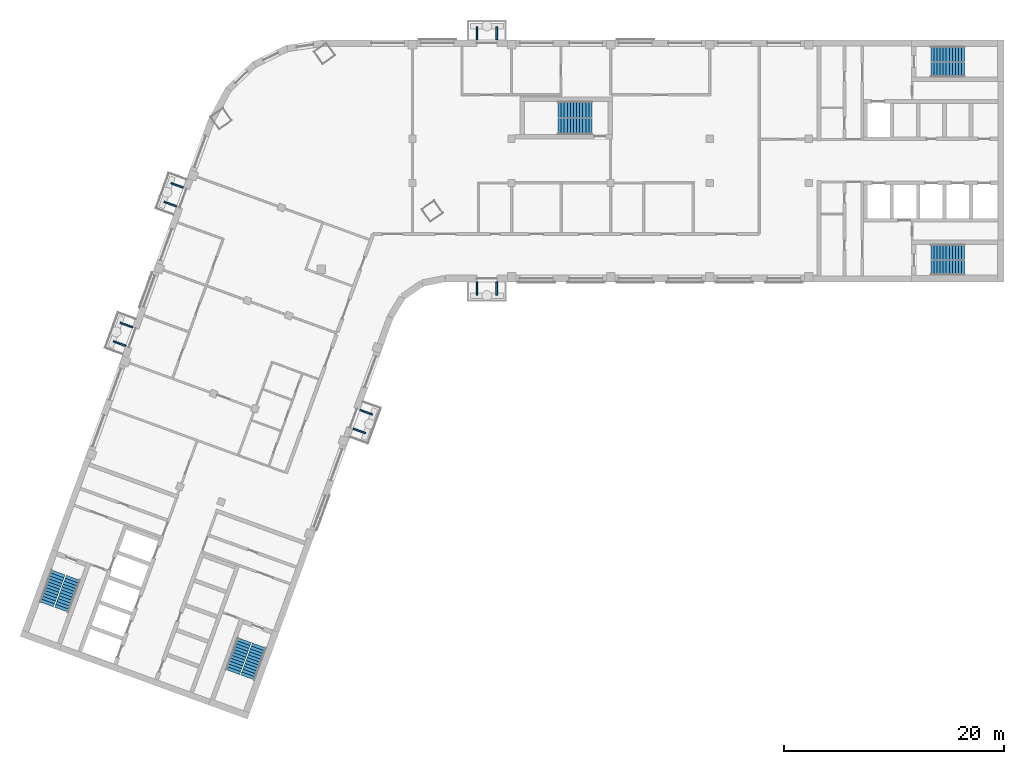
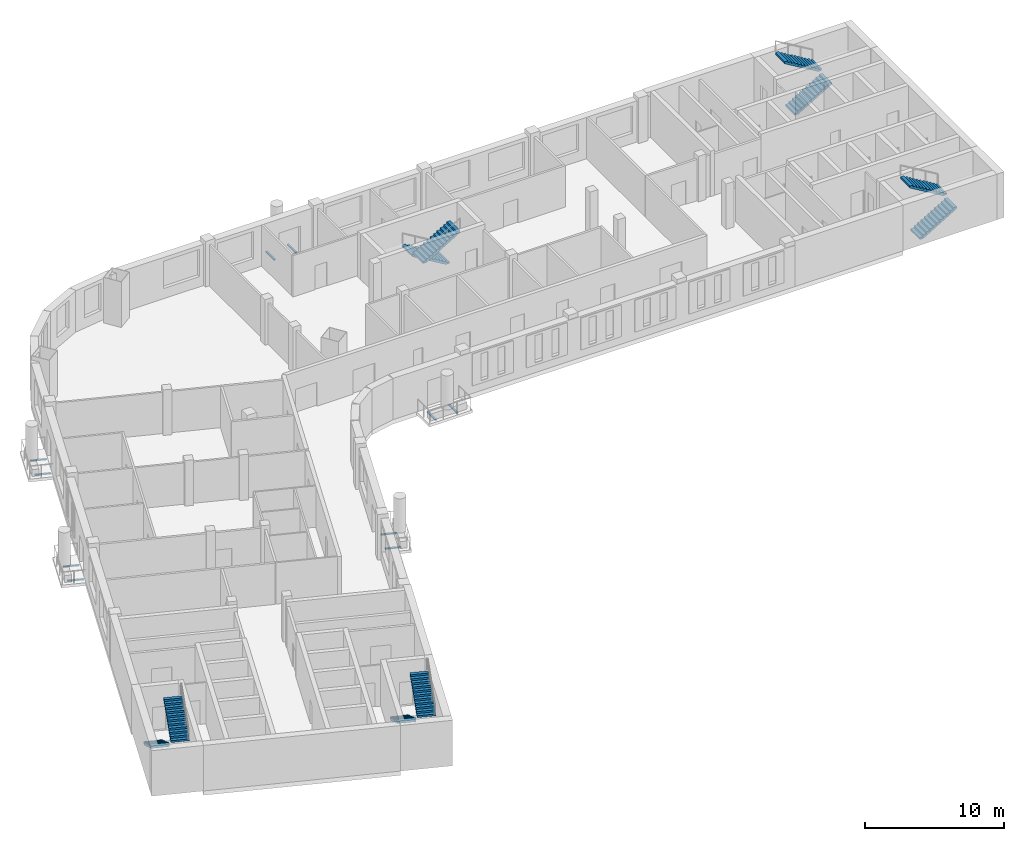
# One storey, part 7 of 10: 10 discrete accessories, 10 stair flights, 5 elements without a shape of their own.
"""IFC4 building model written with IfcOpenShell, lengths in metres."""

from ifc_helpers import new_model, si_unit, direction, frame, origin, origin_2d, place, context, subcontext, project, spatial, polyline, rectangle, outline, extrude, material, type_object, element, aggregate, save


model = new_model("IFC4")

# Units and contexts
model_context = context("Model", 3, precision=1e-05, world=origin(), true_north=direction((0.0, 1.0)))
body_context = subcontext(model_context, "Body", "Model", "MODEL_VIEW")
ifc_project = project(units=[si_unit("LENGTHUNIT", "METRE"), si_unit("AREAUNIT", "SQUARE_METRE"), si_unit("VOLUMEUNIT", "CUBIC_METRE"), si_unit("PLANEANGLEUNIT", "RADIAN"), si_unit("MASSUNIT", "GRAM", prefix="KILO")], contexts=[model_context])

# Site, building, storey
site_placement = place(None, origin())
site = spatial("IfcSite", under=ifc_project, at=site_placement, CompositionType="ELEMENT")
building_placement = place(site_placement, origin())
building = spatial("IfcBuilding", under=site, at=building_placement, Name="Skarvind Civic Tower", CompositionType="ELEMENT")
storey_placement = place(building_placement, frame((0.0, 0.0, 178.5)))
storey = spatial("IfcBuildingStorey", under=building, at=storey_placement, Name="L42", CompositionType="ELEMENT", Elevation=178.5)

# Stair, stair flights
ifc_material = material(Name="Concrete C40/50", Category="concrete")
stair_type_1 = type_object("IfcStairType", Name="Exit stair 1450, half-turn, concrete", PredefinedType="HALF_TURN_STAIR", material=ifc_material)
stair_1_placement = place(storey_placement, origin())
stair_1 = element("IfcStair", 1, at=stair_1_placement, inside=storey, type_object=stair_type_1, Name="Exit stair CM", PredefinedType="HALF_TURN_STAIR")
stair_flight_type_1 = type_object("IfcStairFlightType", Name="Stair flight 1450, concrete", PredefinedType="STRAIGHT", material=ifc_material)
stair_flight_1_placement = place(storey_placement, frame((70.550048828125, 132.675048828125, 0.0), z_axis=(0.0, 0.0, 1.0), x_axis=(-1.0, 0.0, 0.0)))
stair_flight_1 = element("IfcStairFlight", 2, at=stair_flight_1_placement, type_object=stair_flight_type_1, Name="ST-CM flight 1", NumberOfRisers=12, NumberOfTreads=11, PredefinedType="STRAIGHT", RiserHeight=0.166666667, TreadLength=0.28, context=body_context, shape_type="SweptSolid", body=[
    extrude(outline(polyline([(0.0, 0.0), (0.0, 0.166748046875), (0.280029296875, 0.166748046875), (0.280029296875, 0.333251953125), (0.56005859375, 0.333251953125), (0.56005859375, 0.5), (0.840087890625, 0.5), (0.840087890625, 0.666748046875), (1.1201171875, 0.666748046875), (1.1201171875, 0.833251953125), (1.39990234375, 0.833251953125), (1.39990234375, 1.0), (1.679931640625, 1.0), (1.679931640625, 1.166748046875), (1.9599609375, 1.166748046875), (1.9599609375, 1.333251953125), (2.239990234375, 1.333251953125), (2.239990234375, 1.5), (2.52001953125, 1.5), (2.52001953125, 1.666748046875), (2.800048828125, 1.666748046875), (2.800048828125, 1.833251953125), (3.080078125, 1.833251953125), (3.080078125, 2.0), (3.080078125, 1.658935546875), (0.29296875, 0.0), (0.0, 0.0)])), frame((0.0, 0.72509765625, 0.0), z_axis=(0.0, -1.0, 0.0), x_axis=(1.0, 0.0, 0.0)), (0.0, 0.0, 1.0), 1.449951171875),
])
stair_flight_2_placement = place(storey_placement, frame((67.469970703125, 131.125, 2.0), z_axis=(0.0, 0.0, 1.0), x_axis=(1.0, 0.0, 0.0)))
stair_flight_2 = element("IfcStairFlight", 3, at=stair_flight_2_placement, type_object=stair_flight_type_1, Name="ST-CM flight 2", NumberOfRisers=12, NumberOfTreads=11, PredefinedType="STRAIGHT", RiserHeight=0.166666667, TreadLength=0.28, context=body_context, shape_type="SweptSolid", body=[
    extrude(outline(polyline([(0.0, 0.0), (0.0, 0.166748046875), (0.280029296875, 0.166748046875), (0.280029296875, 0.333251953125), (0.56005859375, 0.333251953125), (0.56005859375, 0.5), (0.840087890625, 0.5), (0.840087890625, 0.666748046875), (1.1201171875, 0.666748046875), (1.1201171875, 0.833251953125), (1.39990234375, 0.833251953125), (1.39990234375, 1.0), (1.679931640625, 1.0), (1.679931640625, 1.166748046875), (1.9599609375, 1.166748046875), (1.9599609375, 1.333251953125), (2.239990234375, 1.333251953125), (2.239990234375, 1.5), (2.52001953125, 1.5), (2.52001953125, 1.666748046875), (2.800048828125, 1.666748046875), (2.800048828125, 1.833251953125), (3.080078125, 1.833251953125), (3.080078125, 2.0), (3.080078125, 1.658935546875), (0.29296875, 0.0), (0.0, 0.0)])), frame((0.0, 0.72509765625, 0.0), z_axis=(0.0, -1.0, 0.0), x_axis=(1.0, 0.0, 0.0)), (0.0, 0.0, 1.0), 1.449951171875),
])
aggregate(stair_1, [stair_flight_1, stair_flight_2])

stair_type_2 = type_object("IfcStairType", Name="Exit stair, half-turn, concrete", PredefinedType="HALF_TURN_STAIR", material=ifc_material)
stair_2_placement = place(storey_placement, origin())
stair_2 = element("IfcStair", 4, at=stair_2_placement, inside=storey, type_object=stair_type_2, Name="Exit stair C1S", PredefinedType="HALF_TURN_STAIR")
stair_flight_type_2 = type_object("IfcStairFlightType", Name="Stair flight, concrete", PredefinedType="STRAIGHT", material=ifc_material)
stair_flight_3_placement = place(storey_placement, frame((101.35009765625, 136.27490234375, 0.0), z_axis=(0.0, 0.0, 1.0), x_axis=(1.0, 0.0, 0.0)))
stair_flight_3 = element("IfcStairFlight", 5, at=stair_flight_3_placement, type_object=stair_flight_type_2, Name="ST-C1S flight 1", NumberOfRisers=12, NumberOfTreads=11, PredefinedType="STRAIGHT", RiserHeight=0.166666667, TreadLength=0.28, context=body_context, shape_type="SweptSolid", body=[
    extrude(outline(polyline([(0.0, 0.0), (0.0, 0.166748046875), (0.280029296875, 0.166748046875), (0.280029296875, 0.333251953125), (0.56005859375, 0.333251953125), (0.56005859375, 0.5), (0.840087890625, 0.5), (0.840087890625, 0.666748046875), (1.1201171875, 0.666748046875), (1.1201171875, 0.833251953125), (1.39990234375, 0.833251953125), (1.39990234375, 1.0), (1.679931640625, 1.0), (1.679931640625, 1.166748046875), (1.9599609375, 1.166748046875), (1.9599609375, 1.333251953125), (2.239990234375, 1.333251953125), (2.239990234375, 1.5), (2.52001953125, 1.5), (2.52001953125, 1.666748046875), (2.800048828125, 1.666748046875), (2.800048828125, 1.833251953125), (3.080078125, 1.833251953125), (3.080078125, 2.0), (3.080078125, 1.658935546875), (0.29296875, 0.0), (0.0, 0.0)])), frame((0.0, 0.675048828125, 0.0), z_axis=(0.0, -1.0, 0.0), x_axis=(1.0, 0.0, 0.0)), (0.0, 0.0, 1.0), 1.35009765625),
])
stair_flight_4_placement = place(storey_placement, frame((104.429931640625, 137.72509765625, 2.0), z_axis=(0.0, 0.0, 1.0), x_axis=(-1.0, 0.0, 0.0)))
stair_flight_4 = element("IfcStairFlight", 6, at=stair_flight_4_placement, type_object=stair_flight_type_2, Name="ST-C1S flight 2", NumberOfRisers=12, NumberOfTreads=11, PredefinedType="STRAIGHT", RiserHeight=0.166666667, TreadLength=0.28, context=body_context, shape_type="SweptSolid", body=[
    extrude(outline(polyline([(0.0, 0.0), (0.0, 0.166748046875), (0.280029296875, 0.166748046875), (0.280029296875, 0.333251953125), (0.56005859375, 0.333251953125), (0.56005859375, 0.5), (0.840087890625, 0.5), (0.840087890625, 0.666748046875), (1.1201171875, 0.666748046875), (1.1201171875, 0.833251953125), (1.39990234375, 0.833251953125), (1.39990234375, 1.0), (1.679931640625, 1.0), (1.679931640625, 1.166748046875), (1.9599609375, 1.166748046875), (1.9599609375, 1.333251953125), (2.239990234375, 1.333251953125), (2.239990234375, 1.5), (2.52001953125, 1.5), (2.52001953125, 1.666748046875), (2.800048828125, 1.666748046875), (2.800048828125, 1.833251953125), (3.080078125, 1.833251953125), (3.080078125, 2.0), (3.080078125, 1.658935546875), (0.29296875, 0.0), (0.0, 0.0)])), frame((0.0, 0.675048828125, 0.0), z_axis=(0.0, -1.0, 0.0), x_axis=(1.0, 0.0, 0.0)), (0.0, 0.0, 1.0), 1.35009765625),
])
aggregate(stair_2, [stair_flight_3, stair_flight_4])

stair_3_placement = place(storey_placement, origin())
stair_3 = element("IfcStair", 7, at=stair_3_placement, inside=storey, type_object=stair_type_2, Name="Exit stair C1N", PredefinedType="HALF_TURN_STAIR")
stair_flight_5_placement = place(storey_placement, frame((101.35009765625, 118.27490234375, 0.0), z_axis=(0.0, 0.0, 1.0), x_axis=(1.0, 0.0, 0.0)))
stair_flight_5 = element("IfcStairFlight", 8, at=stair_flight_5_placement, type_object=stair_flight_type_2, Name="ST-C1N flight 1", NumberOfRisers=12, NumberOfTreads=11, PredefinedType="STRAIGHT", RiserHeight=0.166666667, TreadLength=0.28, context=body_context, shape_type="SweptSolid", body=[
    extrude(outline(polyline([(0.0, 0.0), (0.0, 0.166748046875), (0.280029296875, 0.166748046875), (0.280029296875, 0.333251953125), (0.56005859375, 0.333251953125), (0.56005859375, 0.5), (0.840087890625, 0.5), (0.840087890625, 0.666748046875), (1.1201171875, 0.666748046875), (1.1201171875, 0.833251953125), (1.39990234375, 0.833251953125), (1.39990234375, 1.0), (1.679931640625, 1.0), (1.679931640625, 1.166748046875), (1.9599609375, 1.166748046875), (1.9599609375, 1.333251953125), (2.239990234375, 1.333251953125), (2.239990234375, 1.5), (2.52001953125, 1.5), (2.52001953125, 1.666748046875), (2.800048828125, 1.666748046875), (2.800048828125, 1.833251953125), (3.080078125, 1.833251953125), (3.080078125, 2.0), (3.080078125, 1.658935546875), (0.29296875, 0.0), (0.0, 0.0)])), frame((0.0, 0.675048828125, 0.0), z_axis=(0.0, -1.0, 0.0), x_axis=(1.0, 0.0, 0.0)), (0.0, 0.0, 1.0), 1.35009765625),
])
stair_flight_6_placement = place(storey_placement, frame((104.429931640625, 119.72509765625, 2.0), z_axis=(0.0, 0.0, 1.0), x_axis=(-1.0, 0.0, 0.0)))
stair_flight_6 = element("IfcStairFlight", 9, at=stair_flight_6_placement, type_object=stair_flight_type_2, Name="ST-C1N flight 2", NumberOfRisers=12, NumberOfTreads=11, PredefinedType="STRAIGHT", RiserHeight=0.166666667, TreadLength=0.28, context=body_context, shape_type="SweptSolid", body=[
    extrude(outline(polyline([(0.0, 0.0), (0.0, 0.166748046875), (0.280029296875, 0.166748046875), (0.280029296875, 0.333251953125), (0.56005859375, 0.333251953125), (0.56005859375, 0.5), (0.840087890625, 0.5), (0.840087890625, 0.666748046875), (1.1201171875, 0.666748046875), (1.1201171875, 0.833251953125), (1.39990234375, 0.833251953125), (1.39990234375, 1.0), (1.679931640625, 1.0), (1.679931640625, 1.166748046875), (1.9599609375, 1.166748046875), (1.9599609375, 1.333251953125), (2.239990234375, 1.333251953125), (2.239990234375, 1.5), (2.52001953125, 1.5), (2.52001953125, 1.666748046875), (2.800048828125, 1.666748046875), (2.800048828125, 1.833251953125), (3.080078125, 1.833251953125), (3.080078125, 2.0), (3.080078125, 1.658935546875), (0.29296875, 0.0), (0.0, 0.0)])), frame((0.0, 0.675048828125, 0.0), z_axis=(0.0, -1.0, 0.0), x_axis=(1.0, 0.0, 0.0)), (0.0, 0.0, 1.0), 1.35009765625),
])
aggregate(stair_3, [stair_flight_5, stair_flight_6])

stair_4_placement = place(storey_placement, origin())
stair_4 = element("IfcStair", 10, at=stair_4_placement, inside=storey, type_object=stair_type_2, Name="Exit stair C2S", PredefinedType="HALF_TURN_STAIR")
stair_flight_7_placement = place(storey_placement, frame((38.949462890625, 84.43408203125, 0.0), z_axis=(0.0, 0.0, 1.0), x_axis=(-0.342020143326, -0.939692620786, 0.0)))
stair_flight_7 = element("IfcStairFlight", 11, at=stair_flight_7_placement, type_object=stair_flight_type_2, Name="ST-C2S flight 1", NumberOfRisers=12, NumberOfTreads=11, PredefinedType="STRAIGHT", RiserHeight=0.166666667, TreadLength=0.28, context=body_context, shape_type="SweptSolid", body=[
    extrude(outline(polyline([(0.0, 0.0), (0.0, 0.166748046875), (0.280029296875, 0.166748046875), (0.280029296875, 0.333251953125), (0.56005859375, 0.333251953125), (0.56005859375, 0.5), (0.840087890625, 0.5), (0.840087890625, 0.666748046875), (1.1201171875, 0.666748046875), (1.1201171875, 0.833251953125), (1.39990234375, 0.833251953125), (1.39990234375, 1.0), (1.679931640625, 1.0), (1.679931640625, 1.166748046875), (1.9599609375, 1.166748046875), (1.9599609375, 1.333251953125), (2.239990234375, 1.333251953125), (2.239990234375, 1.5), (2.52001953125, 1.5), (2.52001953125, 1.666748046875), (2.800048828125, 1.666748046875), (2.800048828125, 1.833251953125), (3.080078125, 1.833251953125), (3.080078125, 2.0), (3.080078125, 1.658935546875), (0.29296875, 0.0), (0.0, 0.0)])), frame((0.0, 0.675048828125, 0.0), z_axis=(0.0, -1.0, 0.0), x_axis=(1.0, 0.0, 0.0)), (0.0, 0.0, 1.0), 1.35009765625),
])
stair_flight_8_placement = place(storey_placement, frame((39.258544921875, 81.0439453125, 2.0), z_axis=(0.0, 0.0, 1.0), x_axis=(0.342020143326, 0.939692620786, 0.0)))
stair_flight_8 = element("IfcStairFlight", 12, at=stair_flight_8_placement, type_object=stair_flight_type_2, Name="ST-C2S flight 2", NumberOfRisers=12, NumberOfTreads=11, PredefinedType="STRAIGHT", RiserHeight=0.166666667, TreadLength=0.28, context=body_context, shape_type="SweptSolid", body=[
    extrude(outline(polyline([(0.0, 0.0), (0.0, 0.166748046875), (0.280029296875, 0.166748046875), (0.280029296875, 0.333251953125), (0.56005859375, 0.333251953125), (0.56005859375, 0.5), (0.840087890625, 0.5), (0.840087890625, 0.666748046875), (1.1201171875, 0.666748046875), (1.1201171875, 0.833251953125), (1.39990234375, 0.833251953125), (1.39990234375, 1.0), (1.679931640625, 1.0), (1.679931640625, 1.166748046875), (1.9599609375, 1.166748046875), (1.9599609375, 1.333251953125), (2.239990234375, 1.333251953125), (2.239990234375, 1.5), (2.52001953125, 1.5), (2.52001953125, 1.666748046875), (2.800048828125, 1.666748046875), (2.800048828125, 1.833251953125), (3.080078125, 1.833251953125), (3.080078125, 2.0), (3.080078125, 1.658935546875), (0.29296875, 0.0), (0.0, 0.0)])), frame((0.0, 0.675048828125, 0.0), z_axis=(0.0, -1.0, 0.0), x_axis=(1.0, 0.0, 0.0)), (0.0, 0.0, 1.0), 1.35009765625),
])
aggregate(stair_4, [stair_flight_7, stair_flight_8])

stair_5_placement = place(storey_placement, origin())
stair_5 = element("IfcStair", 13, at=stair_5_placement, inside=storey, type_object=stair_type_2, Name="Exit stair C2N", PredefinedType="HALF_TURN_STAIR")
stair_flight_9_placement = place(storey_placement, frame((22.034912109375, 90.590576171875, 0.0), z_axis=(0.0, 0.0, 1.0), x_axis=(-0.342020143326, -0.939692620786, 0.0)))
stair_flight_9 = element("IfcStairFlight", 14, at=stair_flight_9_placement, type_object=stair_flight_type_2, Name="ST-C2N flight 1", NumberOfRisers=12, NumberOfTreads=11, PredefinedType="STRAIGHT", RiserHeight=0.166666667, TreadLength=0.28, context=body_context, shape_type="SweptSolid", body=[
    extrude(outline(polyline([(0.0, 0.0), (0.0, 0.166748046875), (0.280029296875, 0.166748046875), (0.280029296875, 0.333251953125), (0.56005859375, 0.333251953125), (0.56005859375, 0.5), (0.840087890625, 0.5), (0.840087890625, 0.666748046875), (1.1201171875, 0.666748046875), (1.1201171875, 0.833251953125), (1.39990234375, 0.833251953125), (1.39990234375, 1.0), (1.679931640625, 1.0), (1.679931640625, 1.166748046875), (1.9599609375, 1.166748046875), (1.9599609375, 1.333251953125), (2.239990234375, 1.333251953125), (2.239990234375, 1.5), (2.52001953125, 1.5), (2.52001953125, 1.666748046875), (2.800048828125, 1.666748046875), (2.800048828125, 1.833251953125), (3.080078125, 1.833251953125), (3.080078125, 2.0), (3.080078125, 1.658935546875), (0.29296875, 0.0), (0.0, 0.0)])), frame((0.0, 0.675048828125, 0.0), z_axis=(0.0, -1.0, 0.0), x_axis=(1.0, 0.0, 0.0)), (0.0, 0.0, 1.0), 1.35009765625),
])
stair_flight_10_placement = place(storey_placement, frame((22.343994140625, 87.2001953125, 2.0), z_axis=(0.0, 0.0, 1.0), x_axis=(0.342020143326, 0.939692620786, 0.0)))
stair_flight_10 = element("IfcStairFlight", 15, at=stair_flight_10_placement, type_object=stair_flight_type_2, Name="ST-C2N flight 2", NumberOfRisers=12, NumberOfTreads=11, PredefinedType="STRAIGHT", RiserHeight=0.166666667, TreadLength=0.28, context=body_context, shape_type="SweptSolid", body=[
    extrude(outline(polyline([(0.0, 0.0), (0.0, 0.166748046875), (0.280029296875, 0.166748046875), (0.280029296875, 0.333251953125), (0.56005859375, 0.333251953125), (0.56005859375, 0.5), (0.840087890625, 0.5), (0.840087890625, 0.666748046875), (1.1201171875, 0.666748046875), (1.1201171875, 0.833251953125), (1.39990234375, 0.833251953125), (1.39990234375, 1.0), (1.679931640625, 1.0), (1.679931640625, 1.166748046875), (1.9599609375, 1.166748046875), (1.9599609375, 1.333251953125), (2.239990234375, 1.333251953125), (2.239990234375, 1.5), (2.52001953125, 1.5), (2.52001953125, 1.666748046875), (2.800048828125, 1.666748046875), (2.800048828125, 1.833251953125), (3.080078125, 1.833251953125), (3.080078125, 2.0), (3.080078125, 1.658935546875), (0.29296875, 0.0), (0.0, 0.0)])), frame((0.0, 0.675048828125, 0.0), z_axis=(0.0, -1.0, 0.0), x_axis=(1.0, 0.0, 0.0)), (0.0, 0.0, 1.0), 1.35009765625),
])
aggregate(stair_5, [stair_flight_9, stair_flight_10])

# Discrete accessories
for number, where, z_axis, x_axis, name in (
    (16, (50.02587890625, 105.144775390625, -0.35009765625), (0.0, 0.0, 1.0), (-0.342020143326, -0.939692620786, 0.0), "TREE BALCONY BRACKET"),
    (17, (49.41015625, 103.453369140625, -0.35009765625), (0.0, 0.0, 1.0), (-0.342020143326, -0.939692620786, 0.0), "TREE BALCONY BRACKET"),
    (18, (61.89990234375, 116.39990234375, -0.35009765625), (0.0, 0.0, 1.0), (-1.0, 0.0, 0.0), "TREE BALCONY BRACKET"),
    (19, (60.10009765625, 116.39990234375, -0.35009765625), (0.0, 0.0, 1.0), (-1.0, 0.0, 0.0), "TREE BALCONY BRACKET"),
    (20, (60.10009765625, 139.60009765625, -0.35009765625), (0.0, 0.0, 1.0), (1.0, 0.0, 0.0), "TREE BALCONY BRACKET"),
    (21, (61.89990234375, 139.60009765625, -0.35009765625), (0.0, 0.0, 1.0), (1.0, 0.0, 0.0), "TREE BALCONY BRACKET"),
    (22, (27.609375, 111.38818359375, -0.35009765625), (0.0, 0.0, 1.0), (0.342020143326, 0.939692620786, 0.0), "TREE BALCONY BRACKET"),
    (23, (28.22509765625, 113.07958984375, -0.35009765625), (0.0, 0.0, 1.0), (0.342020143326, 0.939692620786, 0.0), "TREE BALCONY BRACKET"),
    (24, (32.2265625, 124.07421875, -0.35009765625), (0.0, 0.0, 1.0), (0.342020143326, 0.939692620786, 0.0), "TREE BALCONY BRACKET"),
    (25, (32.84228515625, 125.765380859375, -0.35009765625), (0.0, 0.0, 1.0), (0.342020143326, 0.939692620786, 0.0), "TREE BALCONY BRACKET"),
):
    element("IfcDiscreteAccessory", number, at=place(storey_placement, frame(where, z_axis=z_axis, x_axis=x_axis)), inside=storey, Name=name, PredefinedType="BRACKET", context=body_context, shape_type="SweptSolid", body=[
        extrude(rectangle(XDim=0.14990234375, YDim=1.199951171875, at=origin_2d()), origin(), (0.0, 0.0, 1.0), 0.10009765625),
    ])

save(model, "model.ifc")
